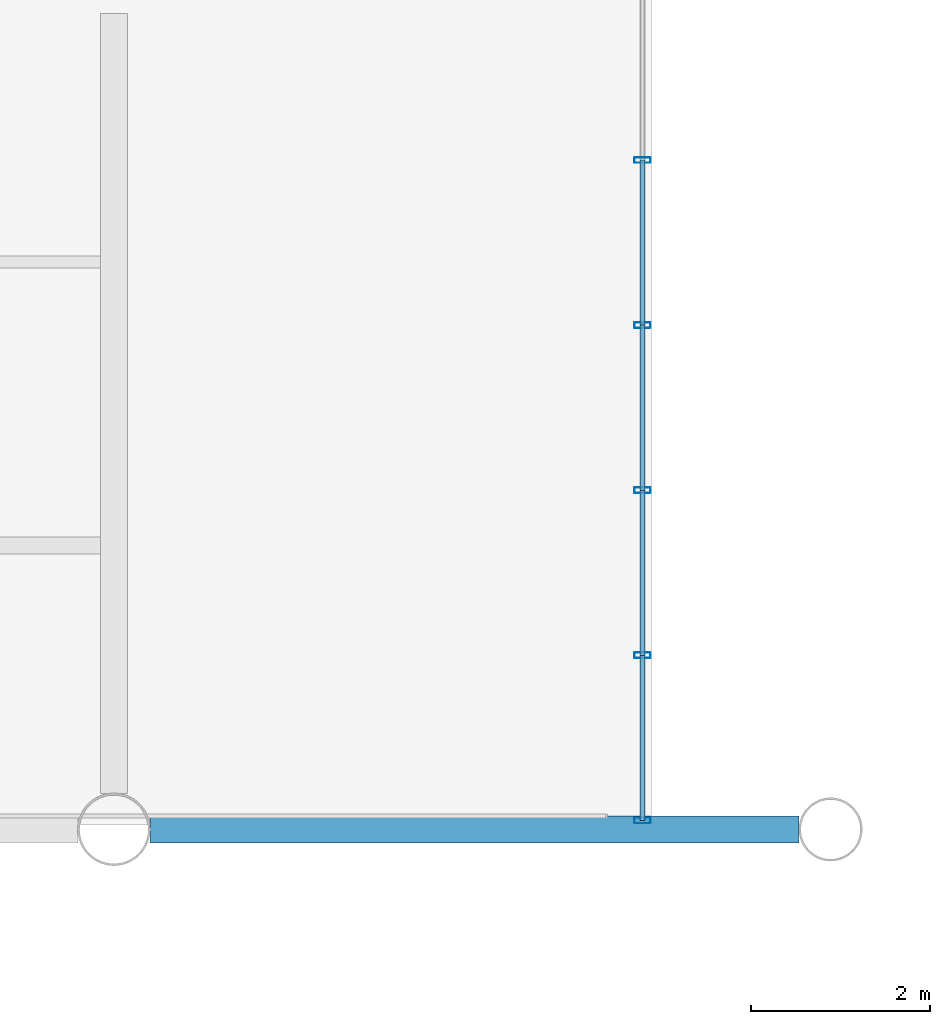
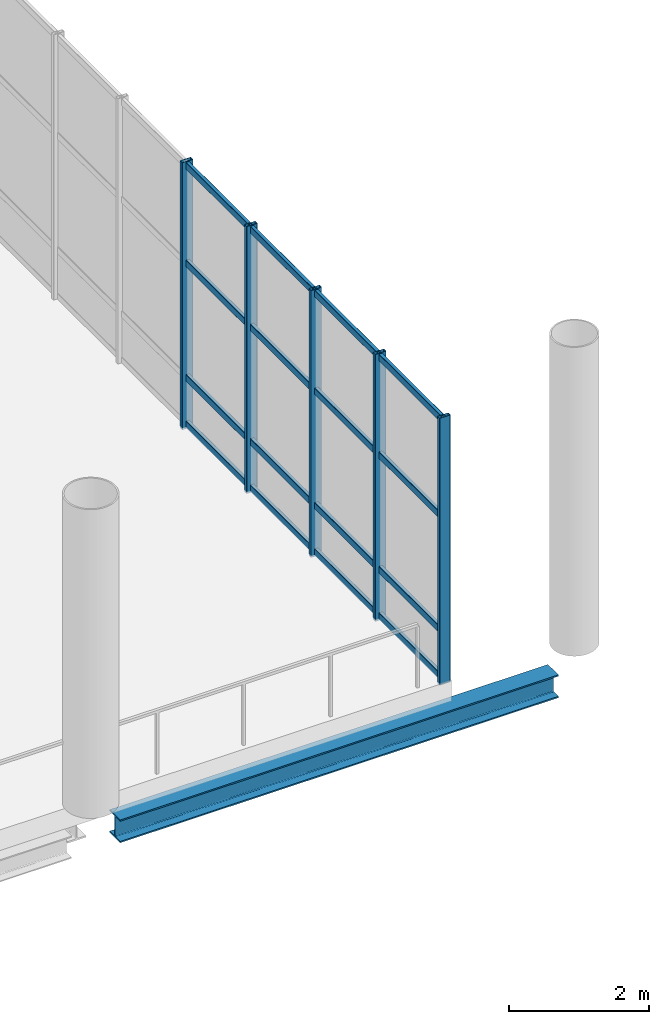
# One storey, part 57 of 176: 21 members, 1 beam, 1 element without a shape of its own.
"""IFC4 building model written with IfcOpenShell, lengths in metres."""

import ifcopenshell
import ifcopenshell.guid

model = None  # the IFC model being written
_history = None  # IfcOwnerHistory: only IFC2X3 demands one
_inside = {}  # id of a spatial element -> (the spatial element, [elements in it])
_under = {}  # id of a project, library or spatial element -> (it, [spatial elements below it])
_declared = {}  # id of a project -> (the project, [libraries it declares])
_typed = {}  # id of a type object -> (the type object, [elements of that type])
_made_of = {}  # id of a material, layer set ... -> (it, [elements and type objects made of it])


def new_model(schema):
    """Start an empty IFC model of exactly this schema.

    Asked for "IFC4X3", IfcOpenShell would pick the latest addendum, in which some entities
    have other attributes; the version numbers below select the first issue.
    IFC2X3 requires an IfcOwnerHistory on every rooted entity: one is made here for all.
    """
    global model, _history
    if schema == "IFC4X3":
        model = ifcopenshell.file(schema_version=(4, 3, 0, 0))
    else:
        model = ifcopenshell.file(schema=schema)
    _inside.clear()
    _under.clear()
    _declared.clear()
    _typed.clear()
    _made_of.clear()
    _history = None
    if model.schema == "IFC2X3":
        org = make("IfcOrganization", Name="unknown")
        user = make(
            "IfcPersonAndOrganization",
            ThePerson=make("IfcPerson", FamilyName="unknown"),
            TheOrganization=org,
        )
        app = make(
            "IfcApplication",
            ApplicationDeveloper=org,
            Version="unknown",
            ApplicationFullName="unknown",
            ApplicationIdentifier="unknown",
        )
        _history = make(
            "IfcOwnerHistory",
            OwningUser=user,
            OwningApplication=app,
            ChangeAction="ADDED",
            CreationDate=0,
        )
    return model


def make(cls, **values):
    """One entity of the class cls with the attributes given. An attribute that is None is left unset."""
    return model.create_entity(
        cls, **{name: value for name, value in values.items() if value is not None}
    )


def rooted(cls, **values):
    """An entity with a GlobalId (a new one), such as an element, a storey or a relation."""
    return make(cls, GlobalId=ifcopenshell.guid.new(), OwnerHistory=_history, **values)


def si_unit(unit_type, name, prefix=None):
    """IfcSIUnit, for example si_unit("LENGTHUNIT", "METRE", prefix="MILLI")."""
    return make("IfcSIUnit", UnitType=unit_type, Prefix=prefix, Name=name)


def assignment(units):
    """IfcUnitAssignment: the units of a project."""
    return None if units is None else make("IfcUnitAssignment", Units=units)


def point(xyz):
    """IfcCartesianPoint."""
    return None if xyz is None else make("IfcCartesianPoint", Coordinates=xyz)


def direction(xyz):
    """IfcDirection."""
    return None if xyz is None else make("IfcDirection", DirectionRatios=xyz)


def frame(location, z_axis=None, x_axis=None):
    """IfcAxis2Placement3D, a coordinate frame: its origin and axes. An axis left out is left unset."""
    return make(
        "IfcAxis2Placement3D",
        Location=point(location),
        Axis=direction(z_axis),
        RefDirection=direction(x_axis),
    )


def frame_2d(location, x_axis=None):
    """IfcAxis2Placement2D, a coordinate frame in the plane: its origin and x axis."""
    return make(
        "IfcAxis2Placement2D", Location=point(location), RefDirection=direction(x_axis)
    )


def origin():
    """The frame at (0, 0, 0) with its axes left unset."""
    return frame((0.0, 0.0, 0.0))


def origin_2d():
    """The frame at (0, 0) in the plane with its x axis left unset."""
    return frame_2d((0.0, 0.0))


def place(relative_to, where):
    """IfcLocalPlacement: puts the frame where relative to a parent placement (None: the world)."""
    return make(
        "IfcLocalPlacement", PlacementRelTo=relative_to, RelativePlacement=where
    )


def context(
    kind, dimensions, precision=None, world=None, true_north=None, identifier=None
):
    """IfcGeometricRepresentationContext, for example the 3D "Model" context."""
    return make(
        "IfcGeometricRepresentationContext",
        ContextIdentifier=identifier,
        ContextType=kind,
        CoordinateSpaceDimension=dimensions,
        Precision=precision,
        WorldCoordinateSystem=world,
        TrueNorth=true_north,
    )


def subcontext(parent, identifier, kind, view, scale=None):
    """IfcGeometricRepresentationSubContext, for example "Body" below "Model"."""
    return make(
        "IfcGeometricRepresentationSubContext",
        ContextIdentifier=identifier,
        ContextType=kind,
        ParentContext=parent,
        TargetScale=scale,
        TargetView=view,
    )


def project(units=None, contexts=None):
    """IfcProject with its units and contexts."""
    return rooted(
        "IfcProject",
        Name="project",
        RepresentationContexts=contexts,
        UnitsInContext=assignment(units),
    )


def spatial(cls, under=None, at=None, **own):
    """A site, building, storey or space (cls), placed at a placement, below another one or the project."""
    s = rooted(cls, ObjectPlacement=at, **own)
    if under is not None:
        _under.setdefault(under.id(), (under, []))[1].append(s)
    return s


def profile(cls, at=None, kind="AREA", **sizes):
    """A parametric profile (cls). Its sizes go by their IFC names, for example OverallWidth=200.0."""
    return make(cls, ProfileType=kind, Position=at, **sizes)


def hollow_rectangle(**sizes):
    """IfcRectangleHollowProfileDef."""
    return profile("IfcRectangleHollowProfileDef", **sizes)


def i_section(**sizes):
    """IfcIShapeProfileDef."""
    return profile("IfcIShapeProfileDef", **sizes)


def extrude(swept, where, along, depth):
    """IfcExtrudedAreaSolid: the profile swept, set in the frame where, extruded along a direction by depth."""
    return make(
        "IfcExtrudedAreaSolid",
        SweptArea=swept,
        Position=where,
        ExtrudedDirection=direction(along),
        Depth=depth,
    )


def shape(context_of_items, identifier, shape_type, items):
    """IfcShapeRepresentation: the items that make up one representation, for example the "Body"."""
    return make(
        "IfcShapeRepresentation",
        ContextOfItems=context_of_items,
        RepresentationIdentifier=identifier,
        RepresentationType=shape_type,
        Items=items,
    )


def material(Name=None, Category=None):
    """IfcMaterial."""
    return make("IfcMaterial", Name=Name, Category=Category)


def layer(
    of_material, thickness, ventilated=None, Name=None, Category=None, Priority=None
):
    """IfcMaterialLayer: one layer of a wall or slab, of a material (None: an air gap)."""
    return make(
        "IfcMaterialLayer",
        Material=of_material,
        LayerThickness=thickness,
        IsVentilated=ventilated,
        Name=Name,
        Category=Category,
        Priority=Priority,
    )


def layer_set(layers, Name=None):
    """IfcMaterialLayerSet."""
    return make("IfcMaterialLayerSet", MaterialLayers=layers, LayerSetName=Name)


def material_profile(
    of_material, cross_section, Name=None, Category=None, Priority=None
):
    """IfcMaterialProfile: a cross section and its material."""
    return make(
        "IfcMaterialProfile",
        Name=Name,
        Material=of_material,
        Profile=cross_section,
        Priority=Priority,
        Category=Category,
    )


def profile_set(profiles, Name=None, composite=None):
    """IfcMaterialProfileSet."""
    return make(
        "IfcMaterialProfileSet",
        Name=Name,
        MaterialProfiles=profiles,
        CompositeProfile=composite,
    )


def made_of(thing, what):
    """Note that an element or type object is made of a material, layer set ...; save() writes the relation."""
    if what is not None:
        _made_of.setdefault(what.id(), (what, []))[1].append(thing)
    return thing


def type_object(cls, material=None, **own):
    """A type object (cls), such as IfcWallType, which elements share."""
    return made_of(rooted(cls, **own), material)


def element(
    cls,
    number,
    at=None,
    inside=None,
    cuts=None,
    type_object=None,
    material=None,
    context=None,
    identifier="Body",
    shape_type=None,
    held_by="IfcProductDefinitionShape",
    body=None,
    shapes=None,
    **own,
):
    """One element of the class cls, such as IfcWall. Its Tag is "e" and its number.

    at: its placement. inside: the storey or other place that contains it. cuts: it is an
    opening in that element (IfcRelVoidsElement). A single representation is given by context,
    identifier, shape_type and body (its items); several are given by shapes. held_by: the class
    of the entity that holds the representations. save() writes the other relations.
    """
    e = rooted(cls, Tag="e%d" % number, ObjectPlacement=at, **own)
    if body is not None:
        shapes = [shape(context, identifier, shape_type, body)]
    if shapes is not None:
        e.Representation = make(held_by, Representations=shapes)
    if inside is not None:
        _inside.setdefault(inside.id(), (inside, []))[1].append(e)
    if cuts is not None:
        rooted(
            "IfcRelVoidsElement", RelatingBuildingElement=cuts, RelatedOpeningElement=e
        )
    if type_object is not None:
        _typed.setdefault(type_object.id(), (type_object, []))[1].append(e)
    return made_of(e, material)


def aggregate(whole, parts):
    """IfcRelAggregates: a whole, such as a stair, and the parts it consists of."""
    return rooted("IfcRelAggregates", RelatingObject=whole, RelatedObjects=parts)


def save(model, path):
    """Write the relations noted so far, then the file.

    IfcRelAggregates (storeys below a building ...), IfcRelContainedInSpatialStructure (elements
    in a storey), IfcRelDefinesByType, IfcRelAssociatesMaterial and IfcRelDeclares: one each for
    every whole, place, type object, material and project.
    """
    for whole, parts in _under.values():
        aggregate(whole, parts)
    for where, things in _inside.values():
        rooted(
            "IfcRelContainedInSpatialStructure",
            RelatedElements=things,
            RelatingStructure=where,
        )
    for kind, things in _typed.values():
        rooted("IfcRelDefinesByType", RelatedObjects=things, RelatingType=kind)
    for what, things in _made_of.values():
        rooted("IfcRelAssociatesMaterial", RelatedObjects=things, RelatingMaterial=what)
    for by, libraries in _declared.values():
        rooted("IfcRelDeclares", RelatingContext=by, RelatedDefinitions=libraries)
    model.write(path)


model = new_model("IFC4")

# Units and contexts
model_context = context("Model", 3, precision=1e-05, world=origin(), true_north=direction((0.0, 1.0)))
body_context = subcontext(model_context, "Body", "Model", "MODEL_VIEW")
ifc_project = project(units=[si_unit("LENGTHUNIT", "METRE"), si_unit("AREAUNIT", "SQUARE_METRE"), si_unit("VOLUMEUNIT", "CUBIC_METRE"), si_unit("PLANEANGLEUNIT", "RADIAN"), si_unit("MASSUNIT", "GRAM", prefix="KILO")], contexts=[model_context])

# Site, building, storey
site_placement = place(None, origin())
site = spatial("IfcSite", under=ifc_project, at=site_placement, CompositionType="ELEMENT")
building_placement = place(site_placement, origin())
building = spatial("IfcBuilding", under=site, at=building_placement, Name="Khorjan Park Terminus", CompositionType="ELEMENT")
storey_placement = place(building_placement, frame((0.0, 0.0, 6.0)))
storey = spatial("IfcBuildingStorey", under=building, at=storey_placement, Name="L01", CompositionType="ELEMENT", Elevation=6.0)

# Beam
ifc_material_1 = material(Name="Steel S355", Category="steel")
ifc_material_profile_1 = material_profile(ifc_material_1, i_section(OverallWidth=0.3, OverallDepth=0.4, WebThickness=0.0135, FlangeThickness=0.024, FilletRadius=0.027, at=origin_2d()), Name="HEB 400")
ifc_profile_set_1 = profile_set([ifc_material_profile_1], Name="Steel S355")
beam_type = type_object("IfcBeamType", Name="BM-HEB400", PredefinedType="BEAM", material=ifc_profile_set_1)
beam_placement = place(storey_placement, frame((80.4015, 102.0, -0.56), z_axis=(1.0, 0.0, 0.0), x_axis=(0.0, 1.0, 0.0)))
element("IfcBeam", 1, at=beam_placement, inside=storey, type_object=beam_type, Name="Primary floor girder SB-B40 (L01)", PredefinedType="BEAM", context=body_context, shape_type="SweptSolid", body=[
    extrude(i_section(OverallWidth=0.3, OverallDepth=0.4, WebThickness=0.0135, FlangeThickness=0.024, FilletRadius=0.027, at=origin_2d()), origin(), (0.0, 0.0, 1.0), 7.248),
])

# Curtain wall, members
ifc_material_2 = material(Name="Anodized Bronze Aluminium", Category="aluminium")
ifc_layer = layer(ifc_material_2, 0.22)
ifc_layer_set = layer_set([ifc_layer], Name="Anodized Bronze Aluminium")
curtain_wall_type = type_object("IfcCurtainWallType", Name="CW-BRG-D", PredefinedType="NOTDEFINED", material=ifc_layer_set)
curtain_wall_placement = place(storey_placement, origin())
curtain_wall = element("IfcCurtainWall", 2, at=curtain_wall_placement, inside=storey, type_object=curtain_wall_type, Name="Unitized curtain wall CW-D (CW-BRW-E-1)", PredefinedType="NOTDEFINED")
ifc_material_profile_2 = material_profile(ifc_material_2, hollow_rectangle(XDim=0.065, YDim=0.18, WallThickness=0.004, InnerFilletRadius=0.004, OuterFilletRadius=0.008, at=origin_2d()), Name="ALM 65x180x4")
ifc_profile_set_2 = profile_set([ifc_material_profile_2], Name="Anodized Bronze Aluminium")
member_type_1 = type_object("IfcMemberType", Name="ML-ALM-180", PredefinedType="MULLION", material=ifc_profile_set_2)
member_1_placement = place(storey_placement, frame((85.9, 102.1, -0.035), z_axis=(0.0, 0.0, 1.0), x_axis=(0.0, 1.0, 0.0)))
member_1 = element("IfcMember", 3, at=member_1_placement, type_object=member_type_1, Name="Curtain-wall mullion ML-18 (CW-BRW-E-1-0)", PredefinedType="MULLION", context=body_context, shape_type="SweptSolid", body=[
    extrude(hollow_rectangle(XDim=0.065, YDim=0.18, WallThickness=0.004, InnerFilletRadius=0.004, OuterFilletRadius=0.008, at=origin_2d()), origin(), (0.0, 0.0, 1.0), 4.67),
])
member_2_placement = place(storey_placement, frame((85.9, 103.9429, -0.035), z_axis=(0.0, 0.0, 1.0), x_axis=(0.0, 1.0, 0.0)))
member_2 = element("IfcMember", 4, at=member_2_placement, type_object=member_type_1, Name="Curtain-wall mullion ML-18 (CW-BRW-E-1-1)", PredefinedType="MULLION", context=body_context, shape_type="SweptSolid", body=[
    extrude(hollow_rectangle(XDim=0.065, YDim=0.18, WallThickness=0.004, InnerFilletRadius=0.004, OuterFilletRadius=0.008, at=origin_2d()), origin(), (0.0, 0.0, 1.0), 4.67),
])
member_3_placement = place(storey_placement, frame((85.9, 105.7857, -0.035), z_axis=(0.0, 0.0, 1.0), x_axis=(0.0, 1.0, 0.0)))
member_3 = element("IfcMember", 5, at=member_3_placement, type_object=member_type_1, Name="Curtain-wall mullion ML-18 (CW-BRW-E-1-2)", PredefinedType="MULLION", context=body_context, shape_type="SweptSolid", body=[
    extrude(hollow_rectangle(XDim=0.065, YDim=0.18, WallThickness=0.004, InnerFilletRadius=0.004, OuterFilletRadius=0.008, at=origin_2d()), origin(), (0.0, 0.0, 1.0), 4.67),
])
member_4_placement = place(storey_placement, frame((85.9, 107.6286, -0.035), z_axis=(0.0, 0.0, 1.0), x_axis=(0.0, 1.0, 0.0)))
member_4 = element("IfcMember", 6, at=member_4_placement, type_object=member_type_1, Name="Curtain-wall mullion ML-18 (CW-BRW-E-1-3)", PredefinedType="MULLION", context=body_context, shape_type="SweptSolid", body=[
    extrude(hollow_rectangle(XDim=0.065, YDim=0.18, WallThickness=0.004, InnerFilletRadius=0.004, OuterFilletRadius=0.008, at=origin_2d()), origin(), (0.0, 0.0, 1.0), 4.67),
])
member_5_placement = place(storey_placement, frame((85.9, 109.4714, -0.035), z_axis=(0.0, 0.0, 1.0), x_axis=(0.0, 1.0, 0.0)))
member_5 = element("IfcMember", 7, at=member_5_placement, type_object=member_type_1, Name="Curtain-wall mullion ML-18 (CW-BRW-E-1-4)", PredefinedType="MULLION", context=body_context, shape_type="SweptSolid", body=[
    extrude(hollow_rectangle(XDim=0.065, YDim=0.18, WallThickness=0.004, InnerFilletRadius=0.004, OuterFilletRadius=0.008, at=origin_2d()), origin(), (0.0, 0.0, 1.0), 4.67),
])
ifc_material_profile_3 = material_profile(ifc_material_2, hollow_rectangle(XDim=0.06, YDim=0.12, WallThickness=0.004, InnerFilletRadius=0.004, OuterFilletRadius=0.008, at=origin_2d()), Name="ALT 60x120x4")
ifc_profile_set_3 = profile_set([ifc_material_profile_3], Name="Anodized Bronze Aluminium")
member_type_2 = type_object("IfcMemberType", Name="TR-ALT-120", PredefinedType="USERDEFINED", material=ifc_profile_set_3)
member_6_placement = place(storey_placement, frame((85.9, 102.1, 0.04), z_axis=(0.0, 1.0, 0.0), x_axis=(-1.0, 0.0, 0.0)))
member_6 = element("IfcMember", 8, at=member_6_placement, type_object=member_type_2, Name="Curtain-wall transom TR-12 (CW-BRW-E-1-0-1)", ObjectType="TRANSOM", PredefinedType="USERDEFINED", context=body_context, shape_type="SweptSolid", body=[
    extrude(hollow_rectangle(XDim=0.06, YDim=0.12, WallThickness=0.004, InnerFilletRadius=0.004, OuterFilletRadius=0.008, at=origin_2d()), origin(), (0.0, 0.0, 1.0), 1.8429),
])
member_7_placement = place(storey_placement, frame((85.9, 102.1, 0.85), z_axis=(0.0, 1.0, 0.0), x_axis=(-1.0, 0.0, 0.0)))
member_7 = element("IfcMember", 9, at=member_7_placement, type_object=member_type_2, Name="Curtain-wall transom TR-12 (CW-BRW-E-1-0-2)", ObjectType="TRANSOM", PredefinedType="USERDEFINED", context=body_context, shape_type="SweptSolid", body=[
    extrude(hollow_rectangle(XDim=0.06, YDim=0.12, WallThickness=0.004, InnerFilletRadius=0.004, OuterFilletRadius=0.008, at=origin_2d()), origin(), (0.0, 0.0, 1.0), 1.8429),
])
member_8_placement = place(storey_placement, frame((85.9, 102.1, 2.852), z_axis=(0.0, 1.0, 0.0), x_axis=(-1.0, 0.0, 0.0)))
member_8 = element("IfcMember", 10, at=member_8_placement, type_object=member_type_2, Name="Curtain-wall transom TR-12 (CW-BRW-E-1-0-3)", ObjectType="TRANSOM", PredefinedType="USERDEFINED", context=body_context, shape_type="SweptSolid", body=[
    extrude(hollow_rectangle(XDim=0.06, YDim=0.12, WallThickness=0.004, InnerFilletRadius=0.004, OuterFilletRadius=0.008, at=origin_2d()), origin(), (0.0, 0.0, 1.0), 1.8429),
])
member_9_placement = place(storey_placement, frame((85.9, 102.1, 4.56), z_axis=(0.0, 1.0, 0.0), x_axis=(-1.0, 0.0, 0.0)))
member_9 = element("IfcMember", 11, at=member_9_placement, type_object=member_type_2, Name="Curtain-wall transom TR-12 (CW-BRW-E-1-0-4)", ObjectType="TRANSOM", PredefinedType="USERDEFINED", context=body_context, shape_type="SweptSolid", body=[
    extrude(hollow_rectangle(XDim=0.06, YDim=0.12, WallThickness=0.004, InnerFilletRadius=0.004, OuterFilletRadius=0.008, at=origin_2d()), origin(), (0.0, 0.0, 1.0), 1.8429),
])
member_10_placement = place(storey_placement, frame((85.9, 103.9429, 0.04), z_axis=(0.0, 1.0, 0.0), x_axis=(-1.0, 0.0, 0.0)))
member_10 = element("IfcMember", 12, at=member_10_placement, type_object=member_type_2, Name="Curtain-wall transom TR-12 (CW-BRW-E-1-1-1)", ObjectType="TRANSOM", PredefinedType="USERDEFINED", context=body_context, shape_type="SweptSolid", body=[
    extrude(hollow_rectangle(XDim=0.06, YDim=0.12, WallThickness=0.004, InnerFilletRadius=0.004, OuterFilletRadius=0.008, at=origin_2d()), origin(), (0.0, 0.0, 1.0), 1.8428),
])
member_11_placement = place(storey_placement, frame((85.9, 103.9429, 0.85), z_axis=(0.0, 1.0, 0.0), x_axis=(-1.0, 0.0, 0.0)))
member_11 = element("IfcMember", 13, at=member_11_placement, type_object=member_type_2, Name="Curtain-wall transom TR-12 (CW-BRW-E-1-1-2)", ObjectType="TRANSOM", PredefinedType="USERDEFINED", context=body_context, shape_type="SweptSolid", body=[
    extrude(hollow_rectangle(XDim=0.06, YDim=0.12, WallThickness=0.004, InnerFilletRadius=0.004, OuterFilletRadius=0.008, at=origin_2d()), origin(), (0.0, 0.0, 1.0), 1.8428),
])
member_12_placement = place(storey_placement, frame((85.9, 103.9429, 2.852), z_axis=(0.0, 1.0, 0.0), x_axis=(-1.0, 0.0, 0.0)))
member_12 = element("IfcMember", 14, at=member_12_placement, type_object=member_type_2, Name="Curtain-wall transom TR-12 (CW-BRW-E-1-1-3)", ObjectType="TRANSOM", PredefinedType="USERDEFINED", context=body_context, shape_type="SweptSolid", body=[
    extrude(hollow_rectangle(XDim=0.06, YDim=0.12, WallThickness=0.004, InnerFilletRadius=0.004, OuterFilletRadius=0.008, at=origin_2d()), origin(), (0.0, 0.0, 1.0), 1.8428),
])
member_13_placement = place(storey_placement, frame((85.9, 103.9429, 4.56), z_axis=(0.0, 1.0, 0.0), x_axis=(-1.0, 0.0, 0.0)))
member_13 = element("IfcMember", 15, at=member_13_placement, type_object=member_type_2, Name="Curtain-wall transom TR-12 (CW-BRW-E-1-1-4)", ObjectType="TRANSOM", PredefinedType="USERDEFINED", context=body_context, shape_type="SweptSolid", body=[
    extrude(hollow_rectangle(XDim=0.06, YDim=0.12, WallThickness=0.004, InnerFilletRadius=0.004, OuterFilletRadius=0.008, at=origin_2d()), origin(), (0.0, 0.0, 1.0), 1.8428),
])
member_14_placement = place(storey_placement, frame((85.9, 105.7857, 0.04), z_axis=(0.0, 1.0, 0.0), x_axis=(-1.0, 0.0, 0.0)))
member_14 = element("IfcMember", 16, at=member_14_placement, type_object=member_type_2, Name="Curtain-wall transom TR-12 (CW-BRW-E-1-2-1)", ObjectType="TRANSOM", PredefinedType="USERDEFINED", context=body_context, shape_type="SweptSolid", body=[
    extrude(hollow_rectangle(XDim=0.06, YDim=0.12, WallThickness=0.004, InnerFilletRadius=0.004, OuterFilletRadius=0.008, at=origin_2d()), origin(), (0.0, 0.0, 1.0), 1.8429),
])
member_15_placement = place(storey_placement, frame((85.9, 105.7857, 0.85), z_axis=(0.0, 1.0, 0.0), x_axis=(-1.0, 0.0, 0.0)))
member_15 = element("IfcMember", 17, at=member_15_placement, type_object=member_type_2, Name="Curtain-wall transom TR-12 (CW-BRW-E-1-2-2)", ObjectType="TRANSOM", PredefinedType="USERDEFINED", context=body_context, shape_type="SweptSolid", body=[
    extrude(hollow_rectangle(XDim=0.06, YDim=0.12, WallThickness=0.004, InnerFilletRadius=0.004, OuterFilletRadius=0.008, at=origin_2d()), origin(), (0.0, 0.0, 1.0), 1.8429),
])
member_16_placement = place(storey_placement, frame((85.9, 105.7857, 2.852), z_axis=(0.0, 1.0, 0.0), x_axis=(-1.0, 0.0, 0.0)))
member_16 = element("IfcMember", 18, at=member_16_placement, type_object=member_type_2, Name="Curtain-wall transom TR-12 (CW-BRW-E-1-2-3)", ObjectType="TRANSOM", PredefinedType="USERDEFINED", context=body_context, shape_type="SweptSolid", body=[
    extrude(hollow_rectangle(XDim=0.06, YDim=0.12, WallThickness=0.004, InnerFilletRadius=0.004, OuterFilletRadius=0.008, at=origin_2d()), origin(), (0.0, 0.0, 1.0), 1.8429),
])
member_17_placement = place(storey_placement, frame((85.9, 105.7857, 4.56), z_axis=(0.0, 1.0, 0.0), x_axis=(-1.0, 0.0, 0.0)))
member_17 = element("IfcMember", 19, at=member_17_placement, type_object=member_type_2, Name="Curtain-wall transom TR-12 (CW-BRW-E-1-2-4)", ObjectType="TRANSOM", PredefinedType="USERDEFINED", context=body_context, shape_type="SweptSolid", body=[
    extrude(hollow_rectangle(XDim=0.06, YDim=0.12, WallThickness=0.004, InnerFilletRadius=0.004, OuterFilletRadius=0.008, at=origin_2d()), origin(), (0.0, 0.0, 1.0), 1.8429),
])
member_18_placement = place(storey_placement, frame((85.9, 107.6286, 0.04), z_axis=(0.0, 1.0, 0.0), x_axis=(-1.0, 0.0, 0.0)))
member_18 = element("IfcMember", 20, at=member_18_placement, type_object=member_type_2, Name="Curtain-wall transom TR-12 (CW-BRW-E-1-3-1)", ObjectType="TRANSOM", PredefinedType="USERDEFINED", context=body_context, shape_type="SweptSolid", body=[
    extrude(hollow_rectangle(XDim=0.06, YDim=0.12, WallThickness=0.004, InnerFilletRadius=0.004, OuterFilletRadius=0.008, at=origin_2d()), origin(), (0.0, 0.0, 1.0), 1.8428),
])
member_19_placement = place(storey_placement, frame((85.9, 107.6286, 0.85), z_axis=(0.0, 1.0, 0.0), x_axis=(-1.0, 0.0, 0.0)))
member_19 = element("IfcMember", 21, at=member_19_placement, type_object=member_type_2, Name="Curtain-wall transom TR-12 (CW-BRW-E-1-3-2)", ObjectType="TRANSOM", PredefinedType="USERDEFINED", context=body_context, shape_type="SweptSolid", body=[
    extrude(hollow_rectangle(XDim=0.06, YDim=0.12, WallThickness=0.004, InnerFilletRadius=0.004, OuterFilletRadius=0.008, at=origin_2d()), origin(), (0.0, 0.0, 1.0), 1.8428),
])
member_20_placement = place(storey_placement, frame((85.9, 107.6286, 2.852), z_axis=(0.0, 1.0, 0.0), x_axis=(-1.0, 0.0, 0.0)))
member_20 = element("IfcMember", 22, at=member_20_placement, type_object=member_type_2, Name="Curtain-wall transom TR-12 (CW-BRW-E-1-3-3)", ObjectType="TRANSOM", PredefinedType="USERDEFINED", context=body_context, shape_type="SweptSolid", body=[
    extrude(hollow_rectangle(XDim=0.06, YDim=0.12, WallThickness=0.004, InnerFilletRadius=0.004, OuterFilletRadius=0.008, at=origin_2d()), origin(), (0.0, 0.0, 1.0), 1.8428),
])
member_21_placement = place(storey_placement, frame((85.9, 107.6286, 4.56), z_axis=(0.0, 1.0, 0.0), x_axis=(-1.0, 0.0, 0.0)))
member_21 = element("IfcMember", 23, at=member_21_placement, type_object=member_type_2, Name="Curtain-wall transom TR-12 (CW-BRW-E-1-3-4)", ObjectType="TRANSOM", PredefinedType="USERDEFINED", context=body_context, shape_type="SweptSolid", body=[
    extrude(hollow_rectangle(XDim=0.06, YDim=0.12, WallThickness=0.004, InnerFilletRadius=0.004, OuterFilletRadius=0.008, at=origin_2d()), origin(), (0.0, 0.0, 1.0), 1.8428),
])
aggregate(curtain_wall, [member_1, member_2, member_3, member_4, member_5, member_6, member_7, member_8, member_9, member_10, member_11, member_12, member_13, member_14, member_15, member_16, member_17, member_18, member_19, member_20, member_21])

save(model, "model.ifc")
